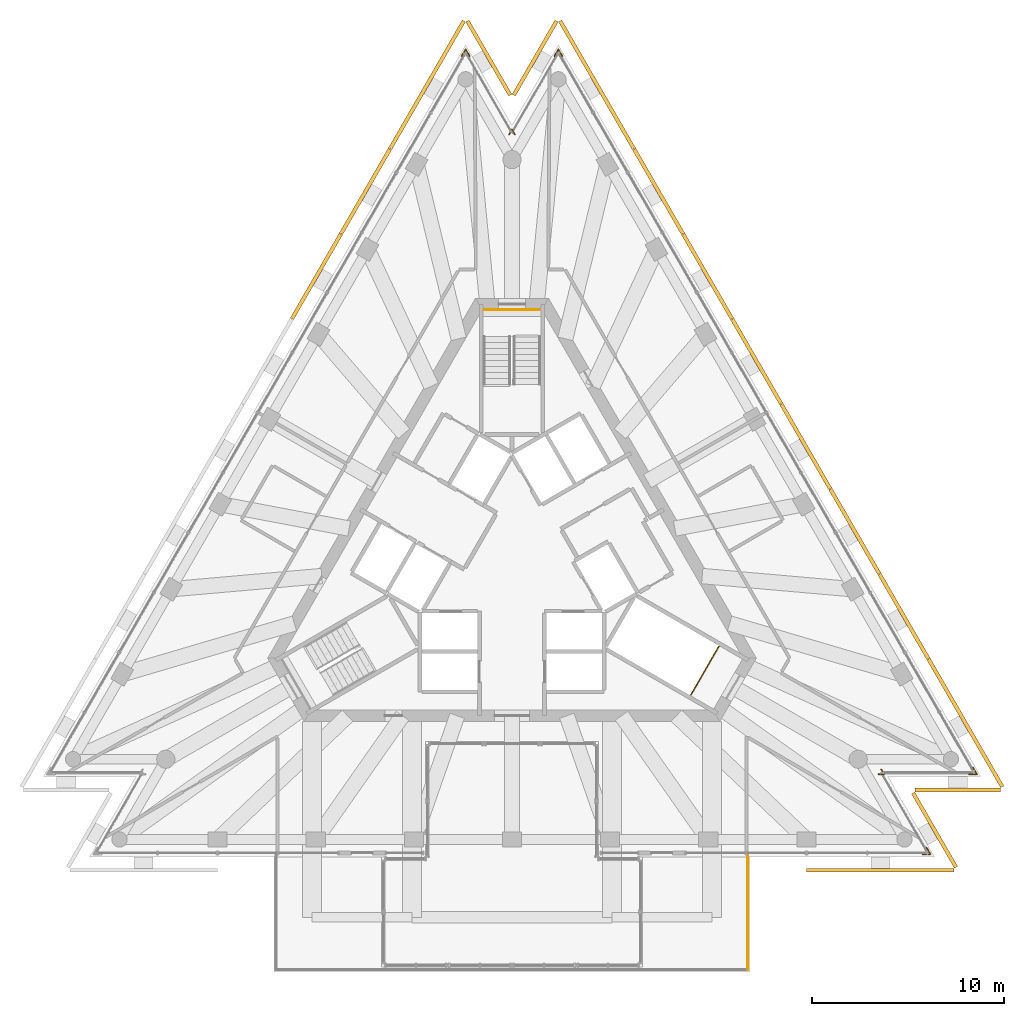
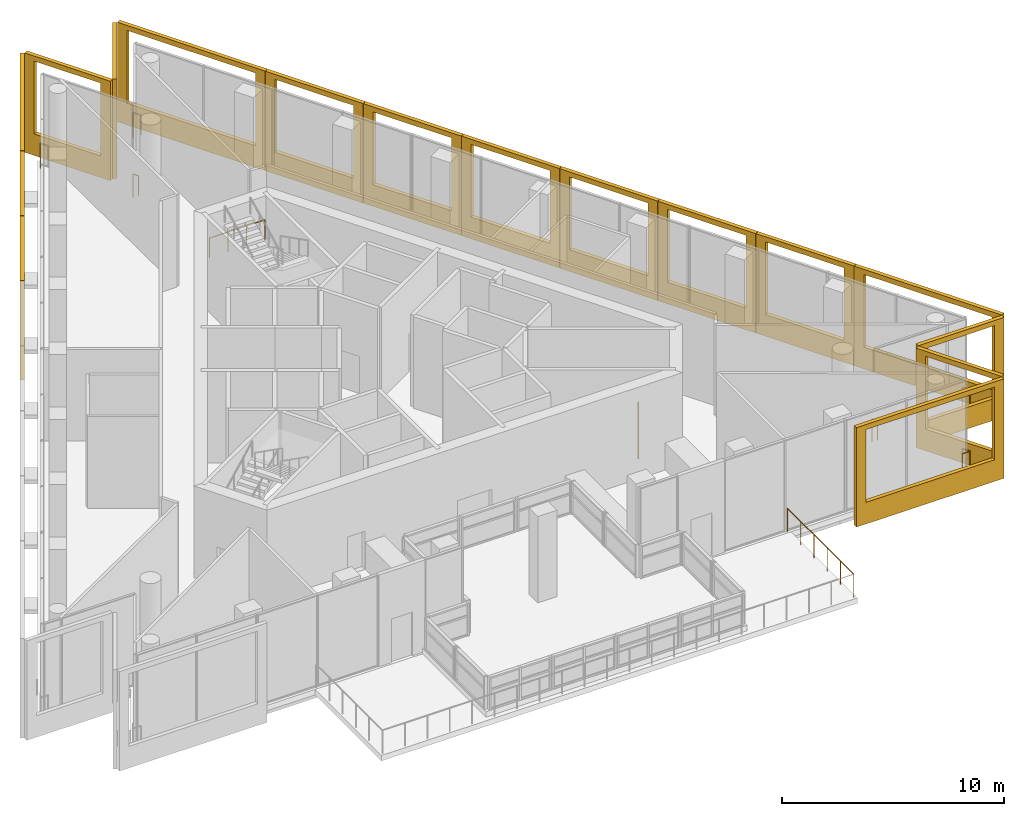
# One storey, part 17 of 17: 16 shading devices, 9 railings, 1 element without a shape of its own.
"""IFC4 building model written with IfcOpenShell, lengths in metres."""

from ifc_helpers import new_model, si_unit, direction, frame, origin, origin_2d, place, context, subcontext, project, spatial, polyline, circle, outline, extrude, material, layer, layer_set, type_object, element, aggregate, save


model = new_model("IFC4")

# Units and contexts
model_context = context("Model", 3, precision=1e-05, world=origin(), true_north=direction((0.0, 1.0)))
body_context = subcontext(model_context, "Body", "Model", "MODEL_VIEW")
ifc_project = project(units=[si_unit("LENGTHUNIT", "METRE"), si_unit("AREAUNIT", "SQUARE_METRE"), si_unit("VOLUMEUNIT", "CUBIC_METRE"), si_unit("PLANEANGLEUNIT", "RADIAN"), si_unit("MASSUNIT", "GRAM", prefix="KILO")], contexts=[model_context])

# Site, building, storey
site_placement = place(None, origin())
site = spatial("IfcSite", under=ifc_project, at=site_placement, CompositionType="ELEMENT")
building_placement = place(site_placement, origin())
building = spatial("IfcBuilding", under=site, at=building_placement, Name="Triada Interchange Tower", CompositionType="ELEMENT")
storey_placement = place(building_placement, frame((0.0, 0.0, 322.300048828125)))
storey = spatial("IfcBuildingStorey", under=building, at=storey_placement, Name="L77", CompositionType="ELEMENT", Elevation=322.300048828125)

# Railings
ifc_material_1 = material(Name="Stainless steel 1.4301", Category="steel")
railing_type_1 = type_object("IfcRailingType", Name="Edge guard 1100", PredefinedType="GUARDRAIL", material=ifc_material_1)
railing_1_placement = place(storey_placement, frame((-2.212890625, 26.222900390625, 0.0)))
element("IfcRailing", 1, at=railing_1_placement, inside=storey, type_object=railing_type_1, Name="Edge guard L77 corner 01", PredefinedType="GUARDRAIL", context=body_context, shape_type="SweptSolid", body=[
    extrude(circle(Radius=0.02392578125, at=origin_2d()), frame((0.0, 0.0, 1.076171875), z_axis=(-0.499757119926, 0.866165585257, 0.0), x_axis=(-0.866165585257, -0.499757119926, 0.0)), (0.0, 0.0, 1.0), 0.406494140625),
    extrude(circle(Radius=0.02392578125, at=origin_2d()), frame((-0.203125, 0.35205078125, 1.076171875), z_axis=(-0.49930626892, -0.866425559305, 0.0), x_axis=(0.866425559305, -0.49930626892, 0.0)), (0.0, 0.0, 1.0), 0.40625),
    extrude(circle(Radius=0.02099609375, at=origin_2d()), origin(), (0.0, 0.0, 1.0), 1.052001953125),
    extrude(circle(Radius=0.02099609375, at=origin_2d()), frame((-0.203125, 0.35205078125, 0.0)), (0.0, 0.0, 1.0), 1.052001953125),
    extrude(circle(Radius=0.02099609375, at=origin_2d()), frame((-0.406005859375, 0.0, 0.0)), (0.0, 0.0, 1.0), 1.052001953125),
])
railing_2_placement = place(storey_placement, frame((21.39990234375, -15.3798828125, 0.0)))
element("IfcRailing", 2, at=railing_2_placement, inside=storey, type_object=railing_type_1, Name="Edge guard L77 corner 05", PredefinedType="GUARDRAIL", context=body_context, shape_type="SweptSolid", body=[
    extrude(circle(Radius=0.02392578125, at=origin_2d()), frame((0.0, 0.0, 1.076171875), z_axis=(1.0, 0.0, 0.0), x_axis=(0.0, 1.0, 0.0)), (0.0, 0.0, 1.0), 0.406005859375),
    extrude(circle(Radius=0.02392578125, at=origin_2d()), frame((0.406005859375, 0.0, 1.076171875), z_axis=(-0.499566316511, 0.86627564632, 0.0), x_axis=(-0.86627564632, -0.499566316511, 0.0)), (0.0, 0.0, 1.0), 0.406005859375),
    extrude(circle(Radius=0.02099609375, at=origin_2d()), origin(), (0.0, 0.0, 1.0), 1.052001953125),
    extrude(circle(Radius=0.02099609375, at=origin_2d()), frame((0.406005859375, 0.0, 0.0)), (0.0, 0.0, 1.0), 1.052001953125),
    extrude(circle(Radius=0.02099609375, at=origin_2d()), frame((0.203125, 0.351806640625, 0.0)), (0.0, 0.0, 1.0), 1.052001953125),
])
railing_3_placement = place(storey_placement, frame((19.2470703125, -10.947021484375, 0.0)))
element("IfcRailing", 3, at=railing_3_placement, inside=storey, type_object=railing_type_1, Name="Edge guard L77 corner 06", PredefinedType="GUARDRAIL", context=body_context, shape_type="SweptSolid", body=[
    extrude(circle(Radius=0.02392578125, at=origin_2d()), frame((0.0, 0.0, 1.076171875), z_axis=(0.498983857023, -0.866611279889, 0.0), x_axis=(0.866611279889, 0.498983857023, 0.0)), (0.0, 0.0, 1.0), 0.2861328125),
    extrude(circle(Radius=0.02392578125, at=origin_2d()), frame((0.142822265625, -0.248046875, 1.076171875), z_axis=(-1.0, 0.0, 0.0), x_axis=(0.0, -1.0, 0.0)), (0.0, 0.0, 1.0), 0.285888671875),
    extrude(circle(Radius=0.02099609375, at=origin_2d()), origin(), (0.0, 0.0, 1.0), 1.052001953125),
    extrude(circle(Radius=0.02099609375, at=origin_2d()), frame((0.142822265625, -0.248046875, 0.0)), (0.0, 0.0, 1.0), 1.052001953125),
    extrude(circle(Radius=0.02099609375, at=origin_2d()), frame((-0.14306640625, -0.248046875, 0.0)), (0.0, 0.0, 1.0), 1.052001953125),
])
railing_4_placement = place(storey_placement, frame((23.81689453125, -11.195068359375, 0.0)))
element("IfcRailing", 4, at=railing_4_placement, inside=storey, type_object=railing_type_1, Name="Edge guard L77 corner 07", PredefinedType="GUARDRAIL", context=body_context, shape_type="SweptSolid", body=[
    extrude(circle(Radius=0.02392578125, at=origin_2d()), frame((0.0, 0.0, 1.076171875), z_axis=(1.0, 0.0, 0.0), x_axis=(0.0, 1.0, 0.0)), (0.0, 0.0, 1.0), 0.406005859375),
    extrude(circle(Radius=0.02392578125, at=origin_2d()), frame((0.406005859375, 0.0, 1.076171875), z_axis=(-0.49930626892, 0.866425559305, 0.0), x_axis=(-0.866425559305, -0.49930626892, 0.0)), (0.0, 0.0, 1.0), 0.40625),
    extrude(circle(Radius=0.02099609375, at=origin_2d()), origin(), (0.0, 0.0, 1.0), 1.052001953125),
    extrude(circle(Radius=0.02099609375, at=origin_2d()), frame((0.406005859375, 0.0, 0.0)), (0.0, 0.0, 1.0), 1.052001953125),
    extrude(circle(Radius=0.02099609375, at=origin_2d()), frame((0.203125, 0.35205078125, 0.0)), (0.0, 0.0, 1.0), 1.052001953125),
])
railing_5_placement = place(storey_placement, frame((2.618896484375, 26.222900390625, 0.0)))
element("IfcRailing", 5, at=railing_5_placement, inside=storey, type_object=railing_type_1, Name="Edge guard L77 corner 08", PredefinedType="GUARDRAIL", context=body_context, shape_type="SweptSolid", body=[
    extrude(circle(Radius=0.02392578125, at=origin_2d()), frame((0.0, 0.0, 1.076171875), z_axis=(-0.49930626892, 0.866425559305, 0.0), x_axis=(-0.866425559305, -0.49930626892, 0.0)), (0.0, 0.0, 1.0), 0.40625),
    extrude(circle(Radius=0.02392578125, at=origin_2d()), frame((-0.202880859375, 0.35205078125, 1.076171875), z_axis=(-0.499757119926, -0.866165585257, 0.0), x_axis=(0.866165585257, -0.499757119926, 0.0)), (0.0, 0.0, 1.0), 0.406494140625),
    extrude(circle(Radius=0.02099609375, at=origin_2d()), origin(), (0.0, 0.0, 1.0), 1.052001953125),
    extrude(circle(Radius=0.02099609375, at=origin_2d()), frame((-0.202880859375, 0.35205078125, 0.0)), (0.0, 0.0, 1.0), 1.052001953125),
    extrude(circle(Radius=0.02099609375, at=origin_2d()), frame((-0.406005859375, 0.0, 0.0)), (0.0, 0.0, 1.0), 1.052001953125),
])
railing_6_placement = place(storey_placement, frame((-0.14306640625, 22.14208984375, 0.0)))
element("IfcRailing", 6, at=railing_6_placement, inside=storey, type_object=railing_type_1, Name="Edge guard L77 corner 09", PredefinedType="GUARDRAIL", context=body_context, shape_type="SweptSolid", body=[
    extrude(circle(Radius=0.02392578125, at=origin_2d()), frame((0.0, 0.0, 1.076171875), z_axis=(0.499993265928, 0.866029291668, 0.0), x_axis=(-0.866029291668, 0.499993265928, 0.0)), (0.0, 0.0, 1.0), 0.2861328125),
    extrude(circle(Radius=0.02392578125, at=origin_2d()), frame((0.14306640625, 0.247802734375, 1.076171875), z_axis=(0.499993265928, -0.866029291668, 0.0), x_axis=(0.866029291668, 0.499993265928, 0.0)), (0.0, 0.0, 1.0), 0.2861328125),
    extrude(circle(Radius=0.02099609375, at=origin_2d()), origin(), (0.0, 0.0, 1.0), 1.052001953125),
    extrude(circle(Radius=0.02099609375, at=origin_2d()), frame((0.14306640625, 0.247802734375, 0.0)), (0.0, 0.0, 1.0), 1.052001953125),
    extrude(circle(Radius=0.02099609375, at=origin_2d()), frame((0.2861328125, 0.0, 0.0)), (0.0, 0.0, 1.0), 1.052001953125),
])

# Shading devices
ifc_material_2 = material(Name="Concrete C50/60 precast", Category="concrete")
ifc_layer_1 = layer(ifc_material_2, 0.02001953125, Name="Exposed aggregate face")
ifc_layer_2 = layer(ifc_material_2, 0.179931640625, Name="Precast concrete screen")
ifc_layer_set = layer_set([ifc_layer_1, ifc_layer_2], Name="Outer skin screen panel 5480")
shading_device_type = type_object("IfcShadingDeviceType", Name="Outer skin screen panel 5480", PredefinedType="SHUTTER", material=ifc_layer_set)
shading_device_1_placement = place(storey_placement, frame((-2.4208984375, 28.006103515625, -0.2900390625), z_axis=(0.0, 0.0, 1.0), x_axis=(-0.500037498902, -0.866003752701, 0.0)))
element("IfcShadingDevice", 7, at=shading_device_1_placement, inside=storey, type_object=shading_device_type, Name="Outer skin screen panel L77 01", PredefinedType="SHUTTER", context=body_context, shape_type="SweptSolid", body=[
    extrude(outline(polyline([(0.0, 0.0), (7.69189453125, 0.0), (7.69189453125, 5.47998046875), (0.0, 5.47998046875), (0.0, 0.0)]), holes=[polyline([(0.5, 1.18994140625), (0.5, 5.199951171875), (7.19189453125, 5.199951171875), (7.19189453125, 1.18994140625), (0.5, 1.18994140625)])]), frame((0.0, 0.0, 0.0), z_axis=(0.0, -1.0, 0.0), x_axis=(1.0, 0.0, 0.0)), (0.0, 0.0, 1.0), 0.199951171875),
])
for number, where, z_axis, x_axis, name in (
    (8, (-6.277099609375, 21.327880859375, -0.2900390625), (0.0, 0.0, 1.0), (-0.499953390513, -0.866052312112, 0.0), "Outer skin screen panel L77 02"),
    (9, (-8.833984375, 16.89892578125, -0.2900390625), (0.0, 0.0, 1.0), (-0.499989335189, -0.866031561028, 0.0), "Outer skin screen panel L77 03"),
):
    element("IfcShadingDevice", number, at=place(storey_placement, frame(where, z_axis=z_axis, x_axis=x_axis)), inside=storey, type_object=shading_device_type, Name=name, PredefinedType="SHUTTER", context=body_context, shape_type="SweptSolid", body=[
        extrude(outline(polyline([(0.0, 0.0), (5.09423828125, 0.0), (5.09423828125, 5.47998046875), (0.0, 5.47998046875), (0.0, 0.0)]), holes=[polyline([(0.5, 1.18994140625), (0.5, 5.199951171875), (4.593994140625, 5.199951171875), (4.593994140625, 1.18994140625), (0.5, 1.18994140625)])]), frame((0.0, 0.0, 0.0), z_axis=(0.0, -1.0, 0.0), x_axis=(1.0, 0.0, 0.0)), (0.0, 0.0, 1.0), 0.199951171875),
    ])
shading_device_2_placement = place(storey_placement, frame((15.35107421875, -16.10009765625, -0.2900390625), z_axis=(0.0, 0.0, 1.0), x_axis=(1.0, 0.0, 0.0)))
element("IfcShadingDevice", 10, at=shading_device_2_placement, inside=storey, type_object=shading_device_type, Name="Outer skin screen panel L77 18", PredefinedType="SHUTTER", context=body_context, shape_type="SweptSolid", body=[
    extrude(outline(polyline([(0.0, 0.0), (7.69189453125, 0.0), (7.69189453125, 5.47998046875), (0.0, 5.47998046875), (0.0, 0.0)]), holes=[polyline([(0.5, 1.18994140625), (0.5, 5.199951171875), (7.19189453125, 5.199951171875), (7.19189453125, 1.18994140625), (0.5, 1.18994140625)])]), frame((0.0, 0.0, 0.0), z_axis=(0.0, -1.0, 0.0), x_axis=(1.0, 0.0, 0.0)), (0.0, 0.0, 1.0), 0.199951171875),
])
shading_device_3_placement = place(storey_placement, frame((23.048095703125, -16.091064453125, -0.2900390625), z_axis=(0.0, 0.0, 1.0), x_axis=(-0.500096321064, 0.86596978565, 0.0)))
element("IfcShadingDevice", 11, at=shading_device_3_placement, inside=storey, type_object=shading_device_type, Name="Outer skin screen panel L77 19", PredefinedType="SHUTTER", context=body_context, shape_type="SweptSolid", body=[
    extrude(outline(polyline([(0.0, 0.0), (4.46533203125, 0.0), (4.46533203125, 5.47998046875), (0.0, 5.47998046875), (0.0, 0.0)]), holes=[polyline([(0.5, 1.18994140625), (0.5, 5.199951171875), (3.965576171875, 5.199951171875), (3.965576171875, 1.18994140625), (0.5, 1.18994140625)])]), frame((0.0, 0.0, 0.0), z_axis=(0.0, -1.0, 0.0), x_axis=(1.0, 0.0, 0.0)), (0.0, 0.0, 1.0), 0.199951171875),
])
shading_device_4_placement = place(storey_placement, frame((20.993896484375, -11.9150390625, -0.2900390625), z_axis=(0.0, 0.0, 1.0), x_axis=(1.0, 0.0, 0.0)))
element("IfcShadingDevice", 12, at=shading_device_4_placement, inside=storey, type_object=shading_device_type, Name="Outer skin screen panel L77 20", PredefinedType="SHUTTER", context=body_context, shape_type="SweptSolid", body=[
    extrude(outline(polyline([(0.0, 0.0), (4.466064453125, 0.0), (4.466064453125, 5.47998046875), (0.0, 5.47998046875), (0.0, 0.0)]), holes=[polyline([(0.5, 1.18994140625), (0.5, 5.199951171875), (3.966064453125, 5.199951171875), (3.966064453125, 1.18994140625), (0.5, 1.18994140625)])]), frame((0.0, 0.0, 0.0), z_axis=(0.0, -1.0, 0.0), x_axis=(1.0, 0.0, 0.0)), (0.0, 0.0, 1.0), 0.199951171875),
])
shading_device_5_placement = place(storey_placement, frame((25.465087890625, -11.906005859375, -0.2900390625), z_axis=(0.0, 0.0, 1.0), x_axis=(-0.50005124388, 0.865995816095, 0.0)))
element("IfcShadingDevice", 13, at=shading_device_5_placement, inside=storey, type_object=shading_device_type, Name="Outer skin screen panel L77 21", PredefinedType="SHUTTER", context=body_context, shape_type="SweptSolid", body=[
    extrude(outline(polyline([(0.0, 0.0), (7.691650390625, 0.0), (7.691650390625, 5.47998046875), (0.0, 5.47998046875), (0.0, 0.0)]), holes=[polyline([(0.5, 1.18994140625), (0.5, 5.199951171875), (7.19189453125, 5.199951171875), (7.19189453125, 1.18994140625), (0.5, 1.18994140625)])]), frame((0.0, 0.0, 0.0), z_axis=(0.0, -1.0, 0.0), x_axis=(1.0, 0.0, 0.0)), (0.0, 0.0, 1.0), 0.199951171875),
])
for number, where, z_axis, x_axis, name in (
    (14, (21.60888671875, -5.22802734375, -0.2900390625), (0.0, 0.0, 1.0), (-0.499932640395, 0.866064290378, 0.0), "Outer skin screen panel L77 22"),
    (15, (19.052001953125, -0.799072265625, -0.2900390625), (0.0, 0.0, 1.0), (-0.499968584574, 0.866043540729, 0.0), "Outer skin screen panel L77 23"),
):
    element("IfcShadingDevice", number, at=place(storey_placement, frame(where, z_axis=z_axis, x_axis=x_axis)), inside=storey, type_object=shading_device_type, Name=name, PredefinedType="SHUTTER", context=body_context, shape_type="SweptSolid", body=[
        extrude(outline(polyline([(0.0, 0.0), (5.094482421875, 0.0), (5.094482421875, 5.47998046875), (0.0, 5.47998046875), (0.0, 0.0)]), holes=[polyline([(0.5, 1.18994140625), (0.5, 5.199951171875), (4.593994140625, 5.199951171875), (4.593994140625, 1.18994140625), (0.5, 1.18994140625)])]), frame((0.0, 0.0, 0.0), z_axis=(0.0, -1.0, 0.0), x_axis=(1.0, 0.0, 0.0)), (0.0, 0.0, 1.0), 0.199951171875),
    ])
shading_device_6_placement = place(storey_placement, frame((16.4951171875, 3.6298828125, -0.2900390625), z_axis=(0.0, 0.0, 1.0), x_axis=(-0.500051595647, 0.865995612974, 0.0)))
element("IfcShadingDevice", 16, at=shading_device_6_placement, inside=storey, type_object=shading_device_type, Name="Outer skin screen panel L77 24", PredefinedType="SHUTTER", context=body_context, shape_type="SweptSolid", body=[
    extrude(outline(polyline([(0.0, 0.0), (5.09375, 0.0), (5.09375, 5.47998046875), (0.0, 5.47998046875), (0.0, 0.0)]), holes=[polyline([(0.5, 1.18994140625), (0.5, 5.199951171875), (4.593994140625, 5.199951171875), (4.593994140625, 1.18994140625), (0.5, 1.18994140625)])]), frame((0.0, 0.0, 0.0), z_axis=(0.0, -1.0, 0.0), x_axis=(1.0, 0.0, 0.0)), (0.0, 0.0, 1.0), 0.199951171875),
])
shading_device_7_placement = place(storey_placement, frame((13.93798828125, 8.05908203125, -0.2900390625), z_axis=(0.0, 0.0, 1.0), x_axis=(-0.500036405339, 0.866004384132, 0.0)))
element("IfcShadingDevice", 17, at=shading_device_7_placement, inside=storey, type_object=shading_device_type, Name="Outer skin screen panel L77 25", PredefinedType="SHUTTER", context=body_context, shape_type="SweptSolid", body=[
    extrude(outline(polyline([(0.0, 0.0), (5.09326171875, 0.0), (5.09326171875, 5.47998046875), (0.0, 5.47998046875), (0.0, 0.0)]), holes=[polyline([(0.5, 1.18994140625), (0.5, 5.199951171875), (4.593994140625, 5.199951171875), (4.593994140625, 1.18994140625), (0.5, 1.18994140625)])]), frame((0.0, 0.0, 0.0), z_axis=(0.0, -1.0, 0.0), x_axis=(1.0, 0.0, 0.0)), (0.0, 0.0, 1.0), 0.199951171875),
])
for number, where, z_axis, x_axis, name in (
    (18, (11.381103515625, 12.487060546875, -0.2900390625), (0.0, 0.0, 1.0), (-0.499989335189, 0.866031561028, 0.0), "Outer skin screen panel L77 26"),
    (19, (8.823974609375, 16.916015625, -0.2900390625), (0.0, 0.0, 1.0), (-0.499953390513, 0.866052312112, 0.0), "Outer skin screen panel L77 27"),
):
    element("IfcShadingDevice", number, at=place(storey_placement, frame(where, z_axis=z_axis, x_axis=x_axis)), inside=storey, type_object=shading_device_type, Name=name, PredefinedType="SHUTTER", context=body_context, shape_type="SweptSolid", body=[
        extrude(outline(polyline([(0.0, 0.0), (5.09423828125, 0.0), (5.09423828125, 5.47998046875), (0.0, 5.47998046875), (0.0, 0.0)]), holes=[polyline([(0.5, 1.18994140625), (0.5, 5.199951171875), (4.593994140625, 5.199951171875), (4.593994140625, 1.18994140625), (0.5, 1.18994140625)])]), frame((0.0, 0.0, 0.0), z_axis=(0.0, -1.0, 0.0), x_axis=(1.0, 0.0, 0.0)), (0.0, 0.0, 1.0), 0.199951171875),
    ])
shading_device_8_placement = place(storey_placement, frame((6.26708984375, 21.344970703125, -0.2900390625), z_axis=(0.0, 0.0, 1.0), x_axis=(-0.500037498902, 0.866003752701, 0.0)))
element("IfcShadingDevice", 20, at=shading_device_8_placement, inside=storey, type_object=shading_device_type, Name="Outer skin screen panel L77 28", PredefinedType="SHUTTER", context=body_context, shape_type="SweptSolid", body=[
    extrude(outline(polyline([(0.0, 0.0), (7.69189453125, 0.0), (7.69189453125, 5.47998046875), (0.0, 5.47998046875), (0.0, 0.0)]), holes=[polyline([(0.5, 1.18994140625), (0.5, 5.199951171875), (7.19189453125, 5.199951171875), (7.19189453125, 1.18994140625), (0.5, 1.18994140625)])]), frame((0.0, 0.0, 0.0), z_axis=(0.0, -1.0, 0.0), x_axis=(1.0, 0.0, 0.0)), (0.0, 0.0, 1.0), 0.199951171875),
])
for number, where, z_axis, x_axis, name in (
    (21, (2.410888671875, 28.006103515625, -0.2900390625), (0.0, 0.0, 1.0), (-0.500031644028, -0.866007133326, 0.0), "Outer skin screen panel L77 29"),
    (22, (-0.177978515625, 24.138916015625, -0.2900390625), (0.0, 0.0, 1.0), (-0.500031644028, 0.866007133326, 0.0), "Outer skin screen panel L77 30"),
):
    element("IfcShadingDevice", number, at=place(storey_placement, frame(where, z_axis=z_axis, x_axis=x_axis)), inside=storey, type_object=shading_device_type, Name=name, PredefinedType="SHUTTER", context=body_context, shape_type="SweptSolid", body=[
        extrude(outline(polyline([(0.0, 0.0), (4.465576171875, 0.0), (4.465576171875, 5.47998046875), (0.0, 5.47998046875), (0.0, 0.0)]), holes=[polyline([(0.5, 1.18994140625), (0.5, 5.199951171875), (3.9658203125, 5.199951171875), (3.9658203125, 1.18994140625), (0.5, 1.18994140625)])]), frame((0.0, 0.0, 0.0), z_axis=(0.0, -1.0, 0.0), x_axis=(1.0, 0.0, 0.0)), (0.0, 0.0, 1.0), 0.199951171875),
    ])

# Railing
railing_type_2 = type_object("IfcRailingType", Name="Pool deck guard 1300", PredefinedType="GUARDRAIL", material=ifc_material_1)
railing_7_placement = place(storey_placement, frame((12.280029296875, -21.3798828125, 0.0)))
element("IfcRailing", 23, at=railing_7_placement, inside=storey, type_object=railing_type_2, Name="Pool deck guard 3", PredefinedType="GUARDRAIL", context=body_context, shape_type="SweptSolid", body=[
    extrude(circle(Radius=0.02392578125, at=origin_2d()), frame((0.0, 0.0, 1.27587890625), z_axis=(0.0, 1.0, 0.0), x_axis=(-1.0, 0.0, 0.0)), (0.0, 0.0, 1.0), 5.97998046875),
    extrude(circle(Radius=0.02099609375, at=origin_2d()), origin(), (0.0, 0.0, 1.0), 1.251953125),
    extrude(circle(Radius=0.02099609375, at=origin_2d()), frame((0.0, 1.196044921875, 0.0)), (0.0, 0.0, 1.0), 1.251953125),
    extrude(circle(Radius=0.02099609375, at=origin_2d()), frame((0.0, 2.39208984375, 0.0)), (0.0, 0.0, 1.0), 1.251953125),
    extrude(circle(Radius=0.02099609375, at=origin_2d()), frame((0.0, 3.587890625, 0.0)), (0.0, 0.0, 1.0), 1.251953125),
    extrude(circle(Radius=0.02099609375, at=origin_2d()), frame((0.0, 4.783935546875, 0.0)), (0.0, 0.0, 1.0), 1.251953125),
    extrude(circle(Radius=0.02099609375, at=origin_2d()), frame((0.0, 5.97998046875, 0.0)), (0.0, 0.0, 1.0), 1.251953125),
])

# Stair, railing
ifc_material_3 = material(Name="Concrete C35/45", Category="concrete")
stair_type = type_object("IfcStairType", Name="HALF TURN STAIR 1400", PredefinedType="HALF_TURN_STAIR", material=ifc_material_3)
stair_placement = place(storey_placement, origin())
stair = element("IfcStair", 24, at=stair_placement, inside=storey, type_object=stair_type, Name="Exit stair S77-1", PredefinedType="HALF_TURN_STAIR")
railing_type_3 = type_object("IfcRailingType", Name="STAIR GUARD 1100", PredefinedType="GUARDRAIL", material=ifc_material_1)
railing_8_placement = place(storey_placement, frame((1.449951171875, 13.0, 2.67138671875)))
railing_8 = element("IfcRailing", 25, at=railing_8_placement, type_object=railing_type_3, Name="Guard S77-1 1", PredefinedType="GUARDRAIL", context=body_context, shape_type="SweptSolid", body=[
    extrude(circle(Radius=0.02392578125, at=origin_2d()), frame((0.0, 0.0, 1.076171875), z_axis=(-1.0, 0.0, 0.0), x_axis=(0.0, -1.0, 0.0)), (0.0, 0.0, 1.0), 2.89990234375),
    extrude(circle(Radius=0.02099609375, at=origin_2d()), origin(), (0.0, 0.0, 1.0), 1.052001953125),
    extrude(circle(Radius=0.02099609375, at=origin_2d()), frame((-0.966552734375, 0.0, 0.0)), (0.0, 0.0, 1.0), 1.052001953125),
    extrude(circle(Radius=0.02099609375, at=origin_2d()), frame((-1.933349609375, 0.0, 0.0)), (0.0, 0.0, 1.0), 1.052001953125),
    extrude(circle(Radius=0.02099609375, at=origin_2d()), frame((-2.89990234375, 0.0, 0.0)), (0.0, 0.0, 1.0), 1.052001953125),
])
aggregate(stair, [railing_8])

# Railing
railing_9_placement = place(storey_placement, frame((9.321044921875, -7.055908203125, 0.0)))
element("IfcRailing", 26, at=railing_9_placement, inside=storey, type_object=railing_type_3, Name="Guard well 3", PredefinedType="GUARDRAIL", context=body_context, shape_type="SweptSolid", body=[
    extrude(circle(Radius=0.02392578125, at=origin_2d()), frame((0.0, 0.0, 1.076171875), z_axis=(0.499914333687, 0.866074857604, 0.0), x_axis=(-0.866074857604, 0.499914333687, 0.0)), (0.0, 0.0, 1.0), 2.900390625),
    extrude(circle(Radius=0.02099609375, at=origin_2d()), origin(), (0.0, 0.0, 1.0), 1.052001953125),
    extrude(circle(Radius=0.02099609375, at=origin_2d()), frame((0.4833984375, 0.83740234375, 0.0)), (0.0, 0.0, 1.0), 1.052001953125),
    extrude(circle(Radius=0.02099609375, at=origin_2d()), frame((0.966552734375, 1.674560546875, 0.0)), (0.0, 0.0, 1.0), 1.052001953125),
    extrude(circle(Radius=0.02099609375, at=origin_2d()), frame((1.449951171875, 2.511962890625, 0.0)), (0.0, 0.0, 1.0), 1.052001953125),
])

save(model, "model.ifc")
